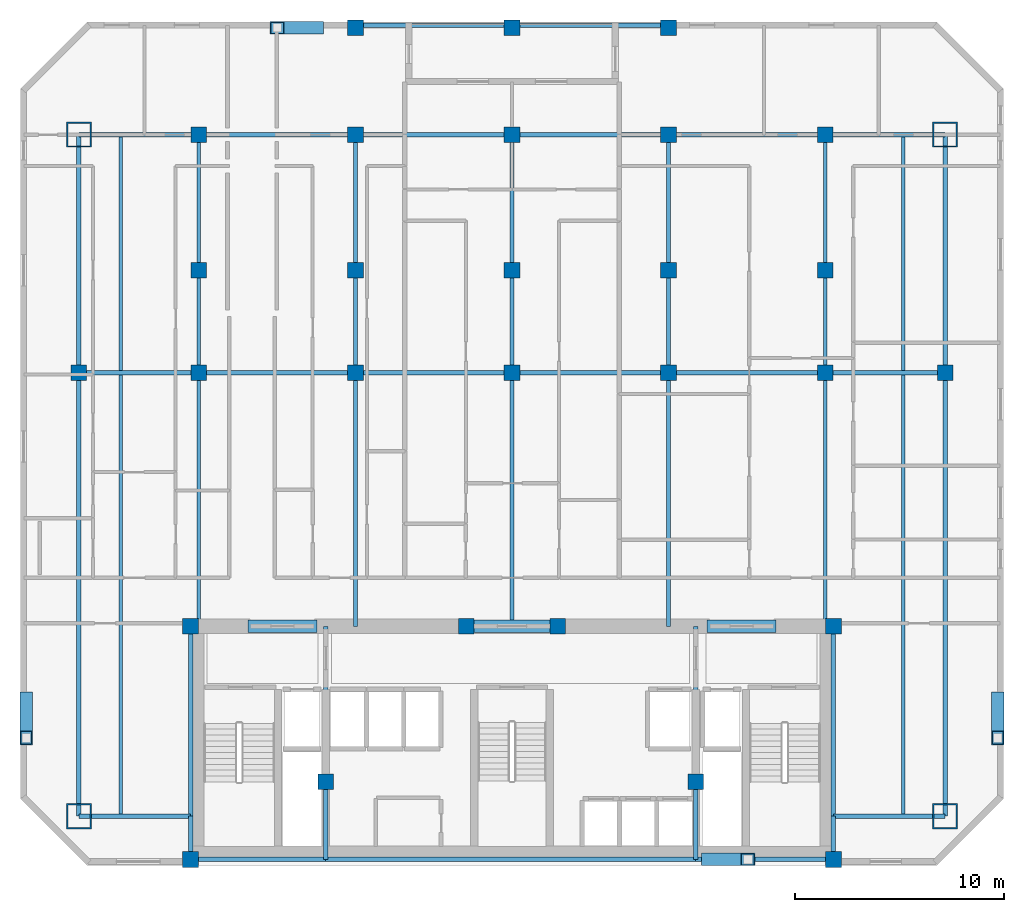
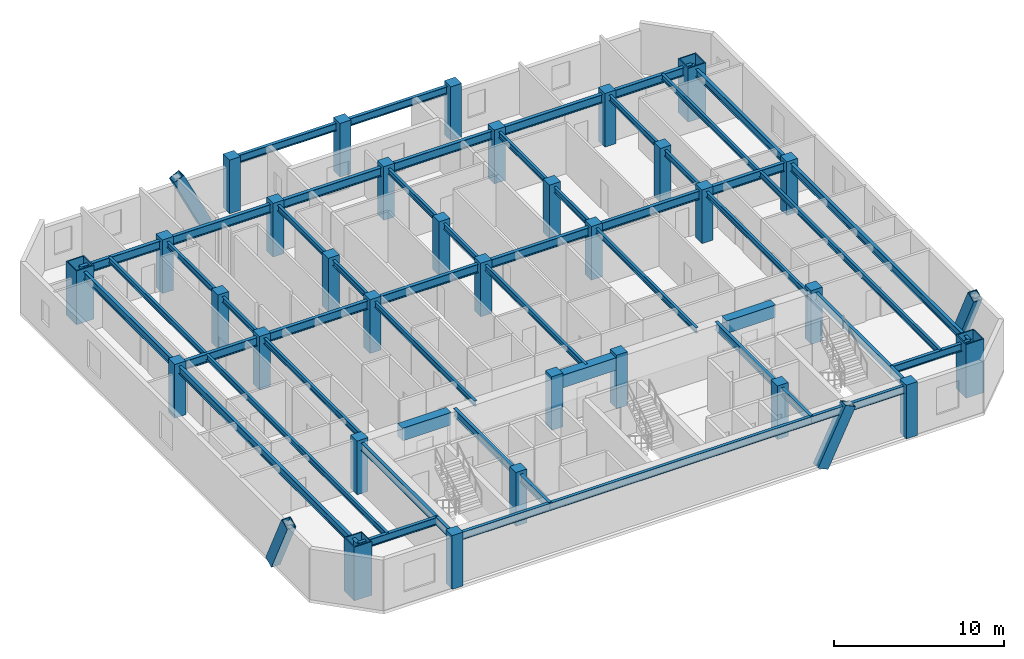
# One storey, part 1 of 8: 48 beams, 32 columns, 4 members.
"""IFC4 building model written with IfcOpenShell, lengths in metres."""

from ifc_helpers import new_model, si_unit, direction, frame, origin, origin_2d, place, context, subcontext, project, spatial, rectangle, hollow_rectangle, i_section, extrude, material, material_profile, profile_set, type_object, element, save


model = new_model("IFC4")

# Units and contexts
model_context = context("Model", 3, precision=1e-05, world=origin(), true_north=direction((0.0, 1.0)))
body_context = subcontext(model_context, "Body", "Model", "MODEL_VIEW")
ifc_project = project(units=[si_unit("LENGTHUNIT", "METRE"), si_unit("AREAUNIT", "SQUARE_METRE"), si_unit("VOLUMEUNIT", "CUBIC_METRE"), si_unit("PLANEANGLEUNIT", "RADIAN"), si_unit("MASSUNIT", "GRAM", prefix="KILO")], contexts=[model_context])

# Site, building, storey
site_placement = place(None, origin())
site = spatial("IfcSite", under=ifc_project, at=site_placement, CompositionType="ELEMENT")
building_placement = place(site_placement, origin())
building = spatial("IfcBuilding", under=site, at=building_placement, Name="Ventersveld Concourse Tower", CompositionType="ELEMENT")
storey_placement = place(building_placement, frame((0.0, 0.0, 176.0)))
storey = spatial("IfcBuildingStorey", under=building, at=storey_placement, Name="L43", CompositionType="ELEMENT", Elevation=176.0)

# Columns
ifc_material_1 = material(Name="Concrete C50/60", Category="concrete")
ifc_material_profile_1 = material_profile(ifc_material_1, rectangle(XDim=0.75, YDim=0.75, at=origin_2d()), Name="RC 750x750")
ifc_profile_set_1 = profile_set([ifc_material_profile_1], Name="Concrete C50/60")
column_type_1 = type_object("IfcColumnType", Name="COL-RC750", PredefinedType="COLUMN", material=ifc_profile_set_1)
for number, where, z_axis, x_axis, name in (
    (1, (13.35009765625, 0.280029296875, 0.0), (0.0, 0.0, 1.0), (1.0, 0.0, 0.0), "L43 Core Spine Column CC-SW"),
    (2, (44.14990234375, 0.280029296875, 0.0), (0.0, 0.0, 1.0), (1.0, 0.0, 0.0), "L43 Core Spine Column CC-SE"),
    (3, (13.35009765625, 11.449951171875, 0.0), (0.0, 0.0, 1.0), (1.0, 0.0, 0.0), "L43 Core Spine Column CC-NW"),
    (4, (44.14990234375, 11.449951171875, 0.0), (0.0, 0.0, 1.0), (1.0, 0.0, 0.0), "L43 Core Spine Column CC-NE"),
    (5, (19.820068359375, 4.0, 0.0), (0.0, 0.0, 1.0), (1.0, 0.0, 0.0), "L43 Core Spine Column CM-1"),
    (6, (37.550048828125, 4.0, 0.0), (0.0, 0.0, 1.0), (1.0, 0.0, 0.0), "L43 Core Spine Column CM-2"),
    (7, (26.550048828125, 11.449951171875, 0.0), (0.0, 0.0, 1.0), (1.0, 0.0, 0.0), "L43 Core Spine Column CM-3"),
    (8, (30.949951171875, 11.449951171875, 0.0), (0.0, 0.0, 1.0), (1.0, 0.0, 0.0), "L43 Core Spine Column CM-4"),
    (9, (8.0, 23.60009765625, 0.0), (0.0, 0.0, 1.0), (1.0, 0.0, 0.0), "L43 Interior Gravity Column X=8.00 Y=23.60"),
    (10, (13.75, 23.60009765625, 0.0), (0.0, 0.0, 1.0), (1.0, 0.0, 0.0), "L43 Interior Gravity Column X=13.75 Y=23.60"),
    (11, (21.25, 23.60009765625, 0.0), (0.0, 0.0, 1.0), (1.0, 0.0, 0.0), "L43 Interior Gravity Column X=21.25 Y=23.60"),
    (12, (28.75, 23.60009765625, 0.0), (0.0, 0.0, 1.0), (1.0, 0.0, 0.0), "L43 Interior Gravity Column X=28.75 Y=23.60"),
    (13, (36.25, 23.60009765625, 0.0), (0.0, 0.0, 1.0), (1.0, 0.0, 0.0), "L43 Interior Gravity Column X=36.25 Y=23.60"),
    (14, (43.75, 23.60009765625, 0.0), (0.0, 0.0, 1.0), (1.0, 0.0, 0.0), "L43 Interior Gravity Column X=43.75 Y=23.60"),
    (15, (49.5, 23.60009765625, 0.0), (0.0, 0.0, 1.0), (1.0, 0.0, 0.0), "L43 Interior Gravity Column X=49.50 Y=23.60"),
    (16, (13.75, 28.5, 0.0), (0.0, 0.0, 1.0), (1.0, 0.0, 0.0), "L43 Upper-North Gravity Column X=13.75 Y=28.50"),
    (17, (21.25, 28.5, 0.0), (0.0, 0.0, 1.0), (1.0, 0.0, 0.0), "L43 Upper-North Gravity Column X=21.25 Y=28.50"),
    (18, (28.75, 28.5, 0.0), (0.0, 0.0, 1.0), (1.0, 0.0, 0.0), "L43 Upper-North Gravity Column X=28.75 Y=28.50"),
    (19, (36.25, 28.5, 0.0), (0.0, 0.0, 1.0), (1.0, 0.0, 0.0), "L43 Upper-North Gravity Column X=36.25 Y=28.50"),
    (20, (43.75, 28.5, 0.0), (0.0, 0.0, 1.0), (1.0, 0.0, 0.0), "L43 Upper-North Gravity Column X=43.75 Y=28.50"),
    (21, (21.25, 40.1201171875, 0.0), (0.0, 0.0, 1.0), (1.0, 0.0, 0.0), "L43 North Brace Node Column X=21.25 Y=40.12"),
    (22, (28.75, 40.1201171875, 0.0), (0.0, 0.0, 1.0), (1.0, 0.0, 0.0), "L43 North Brace Node Column X=28.75 Y=40.12"),
    (23, (36.25, 40.1201171875, 0.0), (0.0, 0.0, 1.0), (1.0, 0.0, 0.0), "L43 North Brace Node Column X=36.25 Y=40.12"),
    (24, (13.75, 35.0, 0.0), (0.0, 0.0, 1.0), (1.0, 0.0, 0.0), "L43 Mid-North Column X=13.75 Y=35.00"),
    (25, (21.25, 35.0, 0.0), (0.0, 0.0, 1.0), (1.0, 0.0, 0.0), "L43 Mid-North Column X=21.25 Y=35.00"),
    (26, (28.75, 35.0, 0.0), (0.0, 0.0, 1.0), (1.0, 0.0, 0.0), "L43 Mid-North Column X=28.75 Y=35.00"),
    (27, (36.25, 35.0, 0.0), (0.0, 0.0, 1.0), (1.0, 0.0, 0.0), "L43 Mid-North Column X=36.25 Y=35.00"),
    (28, (43.75, 35.0, 0.0), (0.0, 0.0, 1.0), (1.0, 0.0, 0.0), "L43 Mid-North Column X=43.75 Y=35.00"),
):
    element("IfcColumn", number, at=place(storey_placement, frame(where, z_axis=z_axis, x_axis=x_axis)), inside=storey, type_object=column_type_1, Name=name, PredefinedType="COLUMN", context=body_context, shape_type="SweptSolid", body=[
        extrude(rectangle(XDim=0.75, YDim=0.75, at=origin_2d()), origin(), (0.0, 0.0, 1.0), 3.85009765625),
    ])
ifc_material_2 = material(Name="Structural steel S460ML", Category="steel")
ifc_material_profile_2 = material_profile(ifc_material_2, hollow_rectangle(XDim=1.199951171875, YDim=1.199951171875, WallThickness=0.070068359375, at=origin_2d()), Name="BOX 1200x1200x70")
ifc_profile_set_2 = profile_set([ifc_material_profile_2], Name="Structural steel S460ML")
column_type_2 = type_object("IfcColumnType", Name="MC-1200", PredefinedType="USERDEFINED", material=ifc_profile_set_2)
for number, where, z_axis, x_axis, name in (
    (29, (8.0, 2.35009765625, 0.0), (0.0, 0.0, 1.0), (1.0, 0.0, 0.0), "L43 Corner Mega-Column MC-SW"),
    (30, (49.5, 2.35009765625, 0.0), (0.0, 0.0, 1.0), (1.0, 0.0, 0.0), "L43 Corner Mega-Column MC-SE"),
    (31, (49.5, 35.0, 0.0), (0.0, 0.0, 1.0), (1.0, 0.0, 0.0), "L43 Corner Mega-Column MC-NE"),
    (32, (8.0, 35.0, 0.0), (0.0, 0.0, 1.0), (1.0, 0.0, 0.0), "L43 Corner Mega-Column MC-NW"),
):
    element("IfcColumn", number, at=place(storey_placement, frame(where, z_axis=z_axis, x_axis=x_axis)), inside=storey, type_object=column_type_2, Name=name, ObjectType="MEGA_COLUMN", PredefinedType="USERDEFINED", context=body_context, shape_type="SweptSolid", body=[
        extrude(hollow_rectangle(XDim=1.199951171875, YDim=1.199951171875, WallThickness=0.070068359375, at=origin_2d()), origin(), (0.0, 0.0, 1.0), 3.85009765625),
    ])

# Beams
ifc_material_3 = material(Name="Structural steel S355J2", Category="steel")
ifc_material_profile_3 = material_profile(ifc_material_3, i_section(OverallWidth=0.177978515625, OverallDepth=0.406494140625, WebThickness=0.0078125, FlangeThickness=0.0126953125, FilletRadius=0.01025390625, at=origin_2d()), Name="UB 406x178x60")
ifc_profile_set_3 = profile_set([ifc_material_profile_3], Name="Structural steel S355J2")
beam_type_1 = type_object("IfcBeamType", Name="BM-UB406", PredefinedType="BEAM", material=ifc_profile_set_3)
beam_1_placement = place(storey_placement, frame((10.0, 2.35009765625, 3.4267578125), z_axis=(0.0, 1.0, 0.0), x_axis=(-1.0, 0.0, 0.0)))
element("IfcBeam", 33, at=beam_1_placement, inside=storey, type_object=beam_type_1, Name="L43 N-S Composite Floor Beam South X=10.00", PredefinedType="BEAM", context=body_context, shape_type="SweptSolid", body=[
    extrude(i_section(OverallWidth=0.177978515625, OverallDepth=0.406494140625, WebThickness=0.0078125, FlangeThickness=0.0126953125, FilletRadius=0.01025390625, at=origin_2d()), origin(), (0.0, 0.0, 1.0), 21.15478515625),
])
beam_2_placement = place(storey_placement, frame((10.0, 23.695068359375, 3.4267578125), z_axis=(0.0, 1.0, 0.0), x_axis=(-1.0, 0.0, 0.0)))
element("IfcBeam", 34, at=beam_2_placement, inside=storey, type_object=beam_type_1, Name="L43 N-S Composite Floor Beam Mid X=10.00", PredefinedType="BEAM", context=body_context, shape_type="SweptSolid", body=[
    extrude(i_section(OverallWidth=0.177978515625, OverallDepth=0.406494140625, WebThickness=0.0078125, FlangeThickness=0.0126953125, FilletRadius=0.01025390625, at=origin_2d()), origin(), (0.0, 0.0, 1.0), 11.304931640625),
])
beam_3_placement = place(storey_placement, frame((13.75, 11.449951171875, 3.4267578125), z_axis=(0.0, 1.0, 0.0), x_axis=(-1.0, 0.0, 0.0)))
element("IfcBeam", 35, at=beam_3_placement, inside=storey, type_object=beam_type_1, Name="L43 N-S Composite Floor Beam South X=13.75", PredefinedType="BEAM", context=body_context, shape_type="SweptSolid", body=[
    extrude(i_section(OverallWidth=0.177978515625, OverallDepth=0.406494140625, WebThickness=0.0078125, FlangeThickness=0.0126953125, FilletRadius=0.01025390625, at=origin_2d()), origin(), (0.0, 0.0, 1.0), 12.150146484375),
])
beam_4_placement = place(storey_placement, frame((13.75, 23.60009765625, 3.4267578125), z_axis=(0.0, 1.0, 0.0), x_axis=(-1.0, 0.0, 0.0)))
element("IfcBeam", 36, at=beam_4_placement, inside=storey, type_object=beam_type_1, Name="L43 N-S Composite Floor Beam Mid X=13.75", PredefinedType="BEAM", context=body_context, shape_type="SweptSolid", body=[
    extrude(i_section(OverallWidth=0.177978515625, OverallDepth=0.406494140625, WebThickness=0.0078125, FlangeThickness=0.0126953125, FilletRadius=0.01025390625, at=origin_2d()), origin(), (0.0, 0.0, 1.0), 11.39990234375),
])
beam_5_placement = place(storey_placement, frame((21.25, 11.449951171875, 3.4267578125), z_axis=(0.0, 1.0, 0.0), x_axis=(-1.0, 0.0, 0.0)))
element("IfcBeam", 37, at=beam_5_placement, inside=storey, type_object=beam_type_1, Name="L43 N-S Composite Floor Beam South X=21.25", PredefinedType="BEAM", context=body_context, shape_type="SweptSolid", body=[
    extrude(i_section(OverallWidth=0.177978515625, OverallDepth=0.406494140625, WebThickness=0.0078125, FlangeThickness=0.0126953125, FilletRadius=0.01025390625, at=origin_2d()), origin(), (0.0, 0.0, 1.0), 12.150146484375),
])
beam_6_placement = place(storey_placement, frame((21.25, 23.60009765625, 3.4267578125), z_axis=(0.0, 1.0, 0.0), x_axis=(-1.0, 0.0, 0.0)))
element("IfcBeam", 38, at=beam_6_placement, inside=storey, type_object=beam_type_1, Name="L43 N-S Composite Floor Beam Mid X=21.25", PredefinedType="BEAM", context=body_context, shape_type="SweptSolid", body=[
    extrude(i_section(OverallWidth=0.177978515625, OverallDepth=0.406494140625, WebThickness=0.0078125, FlangeThickness=0.0126953125, FilletRadius=0.01025390625, at=origin_2d()), origin(), (0.0, 0.0, 1.0), 11.39990234375),
])
beam_7_placement = place(storey_placement, frame((28.75, 11.449951171875, 3.4267578125), z_axis=(0.0, 1.0, 0.0), x_axis=(-1.0, 0.0, 0.0)))
element("IfcBeam", 39, at=beam_7_placement, inside=storey, type_object=beam_type_1, Name="L43 N-S Composite Floor Beam South X=28.75", PredefinedType="BEAM", context=body_context, shape_type="SweptSolid", body=[
    extrude(i_section(OverallWidth=0.177978515625, OverallDepth=0.406494140625, WebThickness=0.0078125, FlangeThickness=0.0126953125, FilletRadius=0.01025390625, at=origin_2d()), origin(), (0.0, 0.0, 1.0), 12.150146484375),
])
beam_8_placement = place(storey_placement, frame((28.75, 23.60009765625, 3.4267578125), z_axis=(0.0, 1.0, 0.0), x_axis=(-1.0, 0.0, 0.0)))
element("IfcBeam", 40, at=beam_8_placement, inside=storey, type_object=beam_type_1, Name="L43 N-S Composite Floor Beam Mid X=28.75", PredefinedType="BEAM", context=body_context, shape_type="SweptSolid", body=[
    extrude(i_section(OverallWidth=0.177978515625, OverallDepth=0.406494140625, WebThickness=0.0078125, FlangeThickness=0.0126953125, FilletRadius=0.01025390625, at=origin_2d()), origin(), (0.0, 0.0, 1.0), 11.39990234375),
])
beam_9_placement = place(storey_placement, frame((36.25, 11.449951171875, 3.4267578125), z_axis=(0.0, 1.0, 0.0), x_axis=(-1.0, 0.0, 0.0)))
element("IfcBeam", 41, at=beam_9_placement, inside=storey, type_object=beam_type_1, Name="L43 N-S Composite Floor Beam South X=36.25", PredefinedType="BEAM", context=body_context, shape_type="SweptSolid", body=[
    extrude(i_section(OverallWidth=0.177978515625, OverallDepth=0.406494140625, WebThickness=0.0078125, FlangeThickness=0.0126953125, FilletRadius=0.01025390625, at=origin_2d()), origin(), (0.0, 0.0, 1.0), 12.150146484375),
])
beam_10_placement = place(storey_placement, frame((36.25, 23.60009765625, 3.4267578125), z_axis=(0.0, 1.0, 0.0), x_axis=(-1.0, 0.0, 0.0)))
element("IfcBeam", 42, at=beam_10_placement, inside=storey, type_object=beam_type_1, Name="L43 N-S Composite Floor Beam Mid X=36.25", PredefinedType="BEAM", context=body_context, shape_type="SweptSolid", body=[
    extrude(i_section(OverallWidth=0.177978515625, OverallDepth=0.406494140625, WebThickness=0.0078125, FlangeThickness=0.0126953125, FilletRadius=0.01025390625, at=origin_2d()), origin(), (0.0, 0.0, 1.0), 11.39990234375),
])
beam_11_placement = place(storey_placement, frame((43.75, 11.449951171875, 3.4267578125), z_axis=(0.0, 1.0, 0.0), x_axis=(-1.0, 0.0, 0.0)))
element("IfcBeam", 43, at=beam_11_placement, inside=storey, type_object=beam_type_1, Name="L43 N-S Composite Floor Beam South X=43.75", PredefinedType="BEAM", context=body_context, shape_type="SweptSolid", body=[
    extrude(i_section(OverallWidth=0.177978515625, OverallDepth=0.406494140625, WebThickness=0.0078125, FlangeThickness=0.0126953125, FilletRadius=0.01025390625, at=origin_2d()), origin(), (0.0, 0.0, 1.0), 12.150146484375),
])
beam_12_placement = place(storey_placement, frame((43.75, 23.60009765625, 3.4267578125), z_axis=(0.0, 1.0, 0.0), x_axis=(-1.0, 0.0, 0.0)))
element("IfcBeam", 44, at=beam_12_placement, inside=storey, type_object=beam_type_1, Name="L43 N-S Composite Floor Beam Mid X=43.75", PredefinedType="BEAM", context=body_context, shape_type="SweptSolid", body=[
    extrude(i_section(OverallWidth=0.177978515625, OverallDepth=0.406494140625, WebThickness=0.0078125, FlangeThickness=0.0126953125, FilletRadius=0.01025390625, at=origin_2d()), origin(), (0.0, 0.0, 1.0), 11.39990234375),
])
beam_13_placement = place(storey_placement, frame((47.5, 2.35009765625, 3.4267578125), z_axis=(0.0, 1.0, 0.0), x_axis=(-1.0, 0.0, 0.0)))
element("IfcBeam", 45, at=beam_13_placement, inside=storey, type_object=beam_type_1, Name="L43 N-S Composite Floor Beam South X=47.50", PredefinedType="BEAM", context=body_context, shape_type="SweptSolid", body=[
    extrude(i_section(OverallWidth=0.177978515625, OverallDepth=0.406494140625, WebThickness=0.0078125, FlangeThickness=0.0126953125, FilletRadius=0.01025390625, at=origin_2d()), origin(), (0.0, 0.0, 1.0), 21.15478515625),
])
beam_14_placement = place(storey_placement, frame((47.5, 23.695068359375, 3.4267578125), z_axis=(0.0, 1.0, 0.0), x_axis=(-1.0, 0.0, 0.0)))
element("IfcBeam", 46, at=beam_14_placement, inside=storey, type_object=beam_type_1, Name="L43 N-S Composite Floor Beam Mid X=47.50", PredefinedType="BEAM", context=body_context, shape_type="SweptSolid", body=[
    extrude(i_section(OverallWidth=0.177978515625, OverallDepth=0.406494140625, WebThickness=0.0078125, FlangeThickness=0.0126953125, FilletRadius=0.01025390625, at=origin_2d()), origin(), (0.0, 0.0, 1.0), 11.304931640625),
])
ifc_material_4 = material(Name="Concrete C60/75", Category="concrete")
ifc_material_profile_4 = material_profile(ifc_material_4, rectangle(XDim=0.60009765625, YDim=0.89990234375, at=origin_2d()), Name="RC 600x900")
ifc_profile_set_4 = profile_set([ifc_material_profile_4], Name="Concrete C60/75")
beam_type_2 = type_object("IfcBeamType", Name="CB-RC600x900L", PredefinedType="LINTEL", material=ifc_profile_set_4)
beam_15_placement = place(storey_placement, frame((16.10009765625, 11.449951171875, 3.179931640625), z_axis=(1.0, 0.0, 0.0), x_axis=(0.0, 1.0, 0.0)))
element("IfcBeam", 47, at=beam_15_placement, inside=storey, type_object=beam_type_2, Name="L43 Core Coupling Lintel Beam 1", PredefinedType="LINTEL", context=body_context, shape_type="SweptSolid", body=[
    extrude(rectangle(XDim=0.60009765625, YDim=0.89990234375, at=origin_2d()), origin(), (0.0, 0.0, 1.0), 3.2998046875),
])
beam_16_placement = place(storey_placement, frame((26.5, 11.449951171875, 3.179931640625), z_axis=(1.0, 0.0, 0.0), x_axis=(0.0, 1.0, 0.0)))
element("IfcBeam", 48, at=beam_16_placement, inside=storey, type_object=beam_type_2, Name="L43 Core Coupling Lintel Beam 2", PredefinedType="LINTEL", context=body_context, shape_type="SweptSolid", body=[
    extrude(rectangle(XDim=0.60009765625, YDim=0.89990234375, at=origin_2d()), origin(), (0.0, 0.0, 1.0), 4.5),
])
beam_17_placement = place(storey_placement, frame((38.10009765625, 11.449951171875, 3.179931640625), z_axis=(1.0, 0.0, 0.0), x_axis=(0.0, 1.0, 0.0)))
element("IfcBeam", 49, at=beam_17_placement, inside=storey, type_object=beam_type_2, Name="L43 Core Coupling Lintel Beam 3", PredefinedType="LINTEL", context=body_context, shape_type="SweptSolid", body=[
    extrude(rectangle(XDim=0.60009765625, YDim=0.89990234375, at=origin_2d()), origin(), (0.0, 0.0, 1.0), 3.2998046875),
])
ifc_material_profile_5 = material_profile(ifc_material_3, i_section(OverallWidth=0.2119140625, OverallDepth=0.54443359375, WebThickness=0.0126953125, FlangeThickness=0.021240234375, FilletRadius=0.0126953125, at=origin_2d()), Name="UB 533x210x122")
ifc_profile_set_5 = profile_set([ifc_material_profile_5], Name="Structural steel S355J2")
beam_type_3 = type_object("IfcBeamType", Name="GRD-UB533H", PredefinedType="T_BEAM", material=ifc_profile_set_5)
beam_18_placement = place(storey_placement, frame((13.35009765625, 0.280029296875, 3.357666015625), z_axis=(0.0, 1.0, 0.0), x_axis=(-1.0, 0.0, 0.0)))
element("IfcBeam", 50, at=beam_18_placement, inside=storey, type_object=beam_type_3, Name="L43 Core West Tie Beam S", PredefinedType="T_BEAM", context=body_context, shape_type="SweptSolid", body=[
    extrude(i_section(OverallWidth=0.2119140625, OverallDepth=0.54443359375, WebThickness=0.0126953125, FlangeThickness=0.021240234375, FilletRadius=0.0126953125, at=origin_2d()), origin(), (0.0, 0.0, 1.0), 2.070068359375),
])
beam_19_placement = place(storey_placement, frame((13.35009765625, 2.35009765625, 3.357666015625), z_axis=(0.0, 1.0, 0.0), x_axis=(-1.0, 0.0, 0.0)))
element("IfcBeam", 51, at=beam_19_placement, inside=storey, type_object=beam_type_3, Name="L43 Core West Tie Beam N", PredefinedType="T_BEAM", context=body_context, shape_type="SweptSolid", body=[
    extrude(i_section(OverallWidth=0.2119140625, OverallDepth=0.54443359375, WebThickness=0.0126953125, FlangeThickness=0.021240234375, FilletRadius=0.0126953125, at=origin_2d()), origin(), (0.0, 0.0, 1.0), 9.099853515625),
])
beam_20_placement = place(storey_placement, frame((44.14990234375, 0.280029296875, 3.357666015625), z_axis=(0.0, 1.0, 0.0), x_axis=(-1.0, 0.0, 0.0)))
element("IfcBeam", 52, at=beam_20_placement, inside=storey, type_object=beam_type_3, Name="L43 Core East Tie Beam S", PredefinedType="T_BEAM", context=body_context, shape_type="SweptSolid", body=[
    extrude(i_section(OverallWidth=0.2119140625, OverallDepth=0.54443359375, WebThickness=0.0126953125, FlangeThickness=0.021240234375, FilletRadius=0.0126953125, at=origin_2d()), origin(), (0.0, 0.0, 1.0), 2.070068359375),
])
beam_21_placement = place(storey_placement, frame((44.14990234375, 2.35009765625, 3.357666015625), z_axis=(0.0, 1.0, 0.0), x_axis=(-1.0, 0.0, 0.0)))
element("IfcBeam", 53, at=beam_21_placement, inside=storey, type_object=beam_type_3, Name="L43 Core East Tie Beam N", PredefinedType="T_BEAM", context=body_context, shape_type="SweptSolid", body=[
    extrude(i_section(OverallWidth=0.2119140625, OverallDepth=0.54443359375, WebThickness=0.0126953125, FlangeThickness=0.021240234375, FilletRadius=0.0126953125, at=origin_2d()), origin(), (0.0, 0.0, 1.0), 9.099853515625),
])
beam_22_placement = place(storey_placement, frame((13.35009765625, 0.280029296875, 3.357666015625), z_axis=(1.0, 0.0, 0.0), x_axis=(0.0, 1.0, 0.0)))
element("IfcBeam", 54, at=beam_22_placement, inside=storey, type_object=beam_type_3, Name="L43 Core South Tie Beam W", PredefinedType="T_BEAM", context=body_context, shape_type="SweptSolid", body=[
    extrude(i_section(OverallWidth=0.2119140625, OverallDepth=0.54443359375, WebThickness=0.0126953125, FlangeThickness=0.021240234375, FilletRadius=0.0126953125, at=origin_2d()), origin(), (0.0, 0.0, 1.0), 6.469970703125),
])
beam_23_placement = place(storey_placement, frame((19.820068359375, 0.280029296875, 3.357666015625), z_axis=(1.0, 0.0, 0.0), x_axis=(0.0, 1.0, 0.0)))
element("IfcBeam", 55, at=beam_23_placement, inside=storey, type_object=beam_type_3, Name="L43 Core South Tie Beam C", PredefinedType="T_BEAM", context=body_context, shape_type="SweptSolid", body=[
    extrude(i_section(OverallWidth=0.2119140625, OverallDepth=0.54443359375, WebThickness=0.0126953125, FlangeThickness=0.021240234375, FilletRadius=0.0126953125, at=origin_2d()), origin(), (0.0, 0.0, 1.0), 17.72998046875),
])
beam_24_placement = place(storey_placement, frame((37.550048828125, 0.280029296875, 3.357666015625), z_axis=(1.0, 0.0, 0.0), x_axis=(0.0, 1.0, 0.0)))
element("IfcBeam", 56, at=beam_24_placement, inside=storey, type_object=beam_type_3, Name="L43 Core South Tie Beam E", PredefinedType="T_BEAM", context=body_context, shape_type="SweptSolid", body=[
    extrude(i_section(OverallWidth=0.2119140625, OverallDepth=0.54443359375, WebThickness=0.0126953125, FlangeThickness=0.021240234375, FilletRadius=0.0126953125, at=origin_2d()), origin(), (0.0, 0.0, 1.0), 6.599853515625),
])
beam_25_placement = place(storey_placement, frame((19.820068359375, 0.280029296875, 3.357666015625), z_axis=(0.0, 1.0, 0.0), x_axis=(-1.0, 0.0, 0.0)))
element("IfcBeam", 57, at=beam_25_placement, inside=storey, type_object=beam_type_3, Name="L43 Core Spine N-S Tie Beam W1", PredefinedType="T_BEAM", context=body_context, shape_type="SweptSolid", body=[
    extrude(i_section(OverallWidth=0.2119140625, OverallDepth=0.54443359375, WebThickness=0.0126953125, FlangeThickness=0.021240234375, FilletRadius=0.0126953125, at=origin_2d()), origin(), (0.0, 0.0, 1.0), 3.719970703125),
])
beam_26_placement = place(storey_placement, frame((19.820068359375, 4.0, 3.357666015625), z_axis=(0.0, 1.0, 0.0), x_axis=(-1.0, 0.0, 0.0)))
element("IfcBeam", 58, at=beam_26_placement, inside=storey, type_object=beam_type_3, Name="L43 Core Spine N-S Tie Beam W2", PredefinedType="T_BEAM", context=body_context, shape_type="SweptSolid", body=[
    extrude(i_section(OverallWidth=0.2119140625, OverallDepth=0.54443359375, WebThickness=0.0126953125, FlangeThickness=0.021240234375, FilletRadius=0.0126953125, at=origin_2d()), origin(), (0.0, 0.0, 1.0), 7.449951171875),
])
beam_27_placement = place(storey_placement, frame((37.550048828125, 0.280029296875, 3.357666015625), z_axis=(0.0, 1.0, 0.0), x_axis=(-1.0, 0.0, 0.0)))
element("IfcBeam", 59, at=beam_27_placement, inside=storey, type_object=beam_type_3, Name="L43 Core Spine N-S Tie Beam E1", PredefinedType="T_BEAM", context=body_context, shape_type="SweptSolid", body=[
    extrude(i_section(OverallWidth=0.2119140625, OverallDepth=0.54443359375, WebThickness=0.0126953125, FlangeThickness=0.021240234375, FilletRadius=0.0126953125, at=origin_2d()), origin(), (0.0, 0.0, 1.0), 3.719970703125),
])
beam_28_placement = place(storey_placement, frame((37.550048828125, 4.0, 3.357666015625), z_axis=(0.0, 1.0, 0.0), x_axis=(-1.0, 0.0, 0.0)))
element("IfcBeam", 60, at=beam_28_placement, inside=storey, type_object=beam_type_3, Name="L43 Core Spine N-S Tie Beam E2", PredefinedType="T_BEAM", context=body_context, shape_type="SweptSolid", body=[
    extrude(i_section(OverallWidth=0.2119140625, OverallDepth=0.54443359375, WebThickness=0.0126953125, FlangeThickness=0.021240234375, FilletRadius=0.0126953125, at=origin_2d()), origin(), (0.0, 0.0, 1.0), 7.449951171875),
])
ifc_material_profile_6 = material_profile(ifc_material_3, i_section(OverallWidth=0.230224609375, OverallDepth=0.6171875, WebThickness=0.01318359375, FlangeThickness=0.022216796875, FilletRadius=0.0126953125, at=origin_2d()), Name="UB 610x229x140")
ifc_profile_set_6 = profile_set([ifc_material_profile_6], Name="Structural steel S355J2")
beam_type_4 = type_object("IfcBeamType", Name="GRD-UB610", PredefinedType="USERDEFINED", material=ifc_profile_set_6)
beam_29_placement = place(storey_placement, frame((8.0, 23.60009765625, 3.3212890625), z_axis=(1.0, 0.0, 0.0), x_axis=(0.0, 1.0, 0.0)))
element("IfcBeam", 61, at=beam_29_placement, inside=storey, type_object=beam_type_4, Name="L43 Primary E-W Grid Girder Y=23.60 #1", ObjectType="GIRDER", PredefinedType="USERDEFINED", context=body_context, shape_type="SweptSolid", body=[
    extrude(i_section(OverallWidth=0.230224609375, OverallDepth=0.6171875, WebThickness=0.01318359375, FlangeThickness=0.022216796875, FilletRadius=0.0126953125, at=origin_2d()), origin(), (0.0, 0.0, 1.0), 5.75),
])
for number, where, z_axis, x_axis, name in (
    (62, (13.75, 23.60009765625, 3.3212890625), (1.0, 0.0, 0.0), (0.0, 1.0, 0.0), "L43 Primary E-W Grid Girder Y=23.60 #2"),
    (63, (21.25, 23.60009765625, 3.3212890625), (1.0, 0.0, 0.0), (0.0, 1.0, 0.0), "L43 Primary E-W Grid Girder Y=23.60 #3"),
    (64, (28.75, 23.60009765625, 3.3212890625), (1.0, 0.0, 0.0), (0.0, 1.0, 0.0), "L43 Primary E-W Grid Girder Y=23.60 #4"),
    (65, (36.25, 23.60009765625, 3.3212890625), (1.0, 0.0, 0.0), (0.0, 1.0, 0.0), "L43 Primary E-W Grid Girder Y=23.60 #5"),
):
    element("IfcBeam", number, at=place(storey_placement, frame(where, z_axis=z_axis, x_axis=x_axis)), inside=storey, type_object=beam_type_4, Name=name, ObjectType="GIRDER", PredefinedType="USERDEFINED", context=body_context, shape_type="SweptSolid", body=[
        extrude(i_section(OverallWidth=0.230224609375, OverallDepth=0.6171875, WebThickness=0.01318359375, FlangeThickness=0.022216796875, FilletRadius=0.0126953125, at=origin_2d()), origin(), (0.0, 0.0, 1.0), 7.5),
    ])
for number, where, z_axis, x_axis, name in (
    (66, (43.75, 23.60009765625, 3.3212890625), (1.0, 0.0, 0.0), (0.0, 1.0, 0.0), "L43 Primary E-W Grid Girder Y=23.60 #6"),
    (67, (8.0, 35.0, 3.3212890625), (1.0, 0.0, 0.0), (0.0, 1.0, 0.0), "L43 E-W Grid Girder Y=35.00 #1"),
):
    element("IfcBeam", number, at=place(storey_placement, frame(where, z_axis=z_axis, x_axis=x_axis)), inside=storey, type_object=beam_type_4, Name=name, ObjectType="GIRDER", PredefinedType="USERDEFINED", context=body_context, shape_type="SweptSolid", body=[
        extrude(i_section(OverallWidth=0.230224609375, OverallDepth=0.6171875, WebThickness=0.01318359375, FlangeThickness=0.022216796875, FilletRadius=0.0126953125, at=origin_2d()), origin(), (0.0, 0.0, 1.0), 5.75),
    ])
for number, where, z_axis, x_axis, name in (
    (68, (13.75, 35.0, 3.3212890625), (1.0, 0.0, 0.0), (0.0, 1.0, 0.0), "L43 E-W Grid Girder Y=35.00 #2"),
    (69, (21.25, 35.0, 3.3212890625), (1.0, 0.0, 0.0), (0.0, 1.0, 0.0), "L43 E-W Grid Girder Y=35.00 #3"),
    (70, (28.75, 35.0, 3.3212890625), (1.0, 0.0, 0.0), (0.0, 1.0, 0.0), "L43 E-W Grid Girder Y=35.00 #4"),
    (71, (36.25, 35.0, 3.3212890625), (1.0, 0.0, 0.0), (0.0, 1.0, 0.0), "L43 E-W Grid Girder Y=35.00 #5"),
):
    element("IfcBeam", number, at=place(storey_placement, frame(where, z_axis=z_axis, x_axis=x_axis)), inside=storey, type_object=beam_type_4, Name=name, ObjectType="GIRDER", PredefinedType="USERDEFINED", context=body_context, shape_type="SweptSolid", body=[
        extrude(i_section(OverallWidth=0.230224609375, OverallDepth=0.6171875, WebThickness=0.01318359375, FlangeThickness=0.022216796875, FilletRadius=0.0126953125, at=origin_2d()), origin(), (0.0, 0.0, 1.0), 7.5),
    ])
beam_30_placement = place(storey_placement, frame((43.75, 35.0, 3.3212890625), z_axis=(1.0, 0.0, 0.0), x_axis=(0.0, 1.0, 0.0)))
element("IfcBeam", 72, at=beam_30_placement, inside=storey, type_object=beam_type_4, Name="L43 E-W Grid Girder Y=35.00 #6", ObjectType="GIRDER", PredefinedType="USERDEFINED", context=body_context, shape_type="SweptSolid", body=[
    extrude(i_section(OverallWidth=0.230224609375, OverallDepth=0.6171875, WebThickness=0.01318359375, FlangeThickness=0.022216796875, FilletRadius=0.0126953125, at=origin_2d()), origin(), (0.0, 0.0, 1.0), 5.75),
])

# Members
ifc_material_5 = material(Name="Structural steel S355ML", Category="steel")
ifc_material_profile_7 = material_profile(ifc_material_5, hollow_rectangle(XDim=0.60009765625, YDim=0.75, WallThickness=0.0400390625, at=origin_2d()), Name="BOX 750x600x40")
ifc_profile_set_7 = profile_set([ifc_material_profile_7], Name="Structural steel S355ML")
member_type = type_object("IfcMemberType", Name="MB-750x600", PredefinedType="BRACE", material=ifc_profile_set_7)
for number, where, z_axis, x_axis, name in (
    (73, (19.375, 40.1201171875, -0.219970703125), (-0.437861906815, 0.0, 0.899042240699), (0.0, -1.0, 0.0), "L43 Exterior Mega-Brace N (Module M10)"),
    (74, (38.175048828125, 0.280029296875, -0.219970703125), (0.437861906815, 0.0, 0.899042240699), (0.0, 1.0, 0.0), "L43 Exterior Mega-Brace S (Module M10)"),
    (75, (5.47998046875, 7.97509765625, -0.219970703125), (0.0, -0.437861906815, 0.899042240699), (1.0, 0.0, 0.0), "L43 Exterior Mega-Brace W (Module M10)"),
    (76, (52.02001953125, 7.97509765625, -0.219970703125), (0.0, -0.437861906815, 0.899042240699), (1.0, 0.0, 0.0), "L43 Exterior Mega-Brace E (Module M10)"),
):
    element("IfcMember", number, at=place(storey_placement, frame(where, z_axis=z_axis, x_axis=x_axis)), inside=storey, type_object=member_type, Name=name, PredefinedType="BRACE", context=body_context, shape_type="SweptSolid", body=[
        extrude(hollow_rectangle(XDim=0.60009765625, YDim=0.75, WallThickness=0.0400390625, at=origin_2d()), origin(), (0.0, 0.0, 1.0), 4.2822265625),
    ])

# Beams
ifc_material_profile_8 = material_profile(ifc_material_3, i_section(OverallWidth=0.2119140625, OverallDepth=0.54443359375, WebThickness=0.0126953125, FlangeThickness=0.021240234375, FilletRadius=0.0126953125, at=origin_2d()), Name="UB 533x210x122")
ifc_profile_set_8 = profile_set([ifc_material_profile_8], Name="Structural steel S355J2")
beam_type_5 = type_object("IfcBeamType", Name="SPD-UB533", PredefinedType="SPANDREL", material=ifc_profile_set_8)
for number, where, z_axis, x_axis, name in (
    (77, (8.0, 2.35009765625, 3.357666015625), (1.0, 0.0, 0.0), (0.0, 1.0, 0.0), "L43 SW Spandrel Beam"),
    (78, (44.14990234375, 2.35009765625, 3.357666015625), (1.0, 0.0, 0.0), (0.0, 1.0, 0.0), "L43 SE Spandrel Beam"),
):
    element("IfcBeam", number, at=place(storey_placement, frame(where, z_axis=z_axis, x_axis=x_axis)), inside=storey, type_object=beam_type_5, Name=name, PredefinedType="SPANDREL", context=body_context, shape_type="SweptSolid", body=[
        extrude(i_section(OverallWidth=0.2119140625, OverallDepth=0.54443359375, WebThickness=0.0126953125, FlangeThickness=0.021240234375, FilletRadius=0.0126953125, at=origin_2d()), origin(), (0.0, 0.0, 1.0), 5.35009765625),
    ])
beam_31_placement = place(storey_placement, frame((8.0, 2.35009765625, 3.357666015625), z_axis=(0.0, 1.0, 0.0), x_axis=(-1.0, 0.0, 0.0)))
element("IfcBeam", 79, at=beam_31_placement, inside=storey, type_object=beam_type_5, Name="L43 West Spandrel Beam S", PredefinedType="SPANDREL", context=body_context, shape_type="SweptSolid", body=[
    extrude(i_section(OverallWidth=0.2119140625, OverallDepth=0.54443359375, WebThickness=0.0126953125, FlangeThickness=0.021240234375, FilletRadius=0.0126953125, at=origin_2d()), origin(), (0.0, 0.0, 1.0), 21.25),
])
beam_32_placement = place(storey_placement, frame((8.0, 23.60009765625, 3.357666015625), z_axis=(0.0, 1.0, 0.0), x_axis=(-1.0, 0.0, 0.0)))
element("IfcBeam", 80, at=beam_32_placement, inside=storey, type_object=beam_type_5, Name="L43 West Spandrel Beam N", PredefinedType="SPANDREL", context=body_context, shape_type="SweptSolid", body=[
    extrude(i_section(OverallWidth=0.2119140625, OverallDepth=0.54443359375, WebThickness=0.0126953125, FlangeThickness=0.021240234375, FilletRadius=0.0126953125, at=origin_2d()), origin(), (0.0, 0.0, 1.0), 11.39990234375),
])
beam_33_placement = place(storey_placement, frame((49.5, 2.35009765625, 3.357666015625), z_axis=(0.0, 1.0, 0.0), x_axis=(-1.0, 0.0, 0.0)))
element("IfcBeam", 81, at=beam_33_placement, inside=storey, type_object=beam_type_5, Name="L43 East Spandrel Beam S", PredefinedType="SPANDREL", context=body_context, shape_type="SweptSolid", body=[
    extrude(i_section(OverallWidth=0.2119140625, OverallDepth=0.54443359375, WebThickness=0.0126953125, FlangeThickness=0.021240234375, FilletRadius=0.0126953125, at=origin_2d()), origin(), (0.0, 0.0, 1.0), 21.25),
])
beam_34_placement = place(storey_placement, frame((49.5, 23.60009765625, 3.357666015625), z_axis=(0.0, 1.0, 0.0), x_axis=(-1.0, 0.0, 0.0)))
element("IfcBeam", 82, at=beam_34_placement, inside=storey, type_object=beam_type_5, Name="L43 East Spandrel Beam N", PredefinedType="SPANDREL", context=body_context, shape_type="SweptSolid", body=[
    extrude(i_section(OverallWidth=0.2119140625, OverallDepth=0.54443359375, WebThickness=0.0126953125, FlangeThickness=0.021240234375, FilletRadius=0.0126953125, at=origin_2d()), origin(), (0.0, 0.0, 1.0), 11.39990234375),
])
for number, where, z_axis, x_axis, name in (
    (83, (21.25, 40.25, 3.357666015625), (1.0, 0.0, 0.0), (0.0, 1.0, 0.0), "L43 Terrace Edge Spandrel W"),
    (84, (28.75, 40.25, 3.357666015625), (1.0, 0.0, 0.0), (0.0, 1.0, 0.0), "L43 Terrace Edge Spandrel E"),
):
    element("IfcBeam", number, at=place(storey_placement, frame(where, z_axis=z_axis, x_axis=x_axis)), inside=storey, type_object=beam_type_5, Name=name, PredefinedType="SPANDREL", context=body_context, shape_type="SweptSolid", body=[
        extrude(i_section(OverallWidth=0.2119140625, OverallDepth=0.54443359375, WebThickness=0.0126953125, FlangeThickness=0.021240234375, FilletRadius=0.0126953125, at=origin_2d()), origin(), (0.0, 0.0, 1.0), 7.5),
    ])

save(model, "model.ifc")
